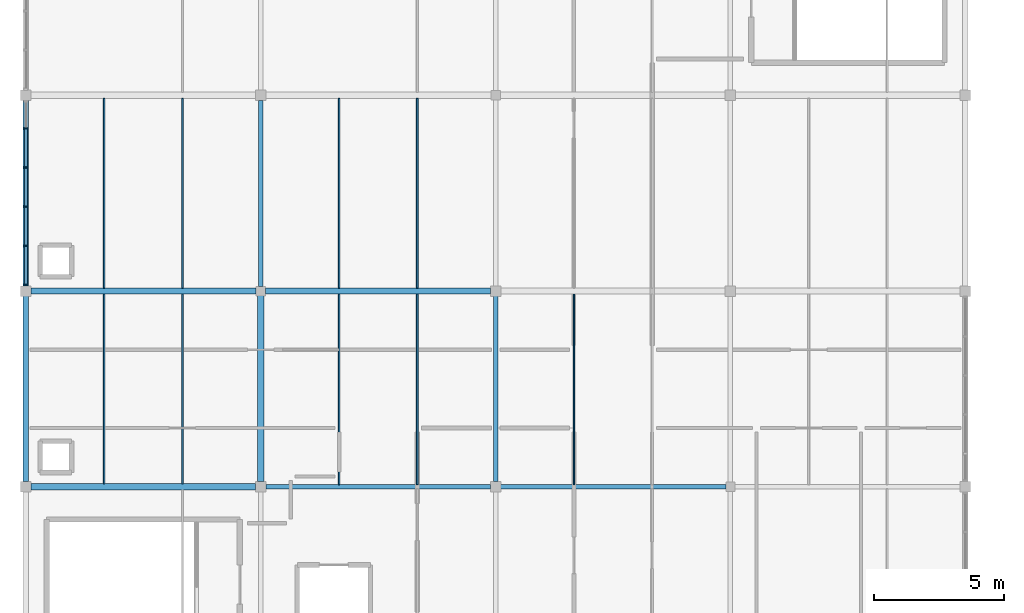
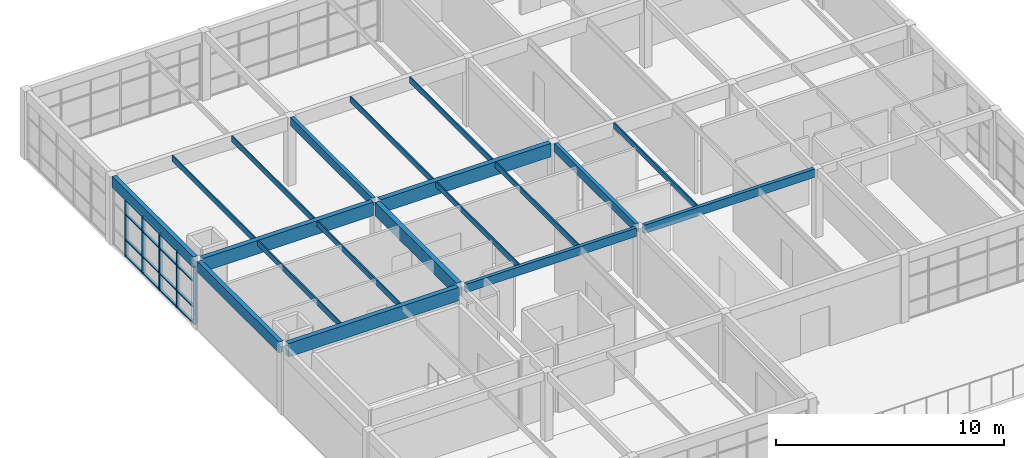
# One storey, part 15 of 45: 21 members, 19 beams, 1 element without a shape of its own.
"""IFC4 building model written with IfcOpenShell, lengths in metres."""

from ifc_helpers import new_model, si_unit, direction, frame, origin, origin_2d, place, context, subcontext, project, spatial, rectangle, extrude, material, layer, layer_set, material_profile, profile_set, type_object, element, aggregate, save


model = new_model("IFC4")

# Units and contexts
model_context = context("Model", 3, precision=1e-05, world=origin(), true_north=direction((0.0, 1.0)))
body_context = subcontext(model_context, "Body", "Model", "MODEL_VIEW")
ifc_project = project(units=[si_unit("LENGTHUNIT", "METRE"), si_unit("AREAUNIT", "SQUARE_METRE"), si_unit("VOLUMEUNIT", "CUBIC_METRE"), si_unit("PLANEANGLEUNIT", "RADIAN"), si_unit("MASSUNIT", "GRAM", prefix="KILO")], contexts=[model_context])

# Site, building, storey
site_placement = place(None, origin())
site = spatial("IfcSite", under=ifc_project, at=site_placement, CompositionType="ELEMENT")
building_placement = place(site_placement, origin())
building = spatial("IfcBuilding", under=site, at=building_placement, Name="Marnridge Secondary College", CompositionType="ELEMENT")
storey_placement = place(building_placement, frame((0.0, 0.0, 12.300048828125)))
storey = spatial("IfcBuildingStorey", under=building, at=storey_placement, Name="L03", CompositionType="ELEMENT", Elevation=12.300048828125)

# Beams
ifc_material_1 = material(Name="Glulam timber GL18", Category="wood")
ifc_material_profile_1 = material_profile(ifc_material_1, rectangle(XDim=0.175048828125, YDim=0.449951171875, at=origin_2d()), Name="GL18 175x450")
ifc_profile_set_1 = profile_set([ifc_material_profile_1], Name="Glulam timber GL18")
beam_type_1 = type_object("IfcBeamType", Name="BM-GL450-INT", PredefinedType="BEAM", material=ifc_profile_set_1)
beam_1_placement = place(storey_placement, frame((9.0, 105.174072265625, 3.425048828125), z_axis=(0.0, 1.0, 0.0), x_axis=(-1.0, 0.0, 0.0)))
element("IfcBeam", 1, at=beam_1_placement, inside=storey, type_object=beam_type_1, Name="Beam BRF-L03-1320", PredefinedType="BEAM", context=body_context, shape_type="SweptSolid", body=[
    extrude(rectangle(XDim=0.175048828125, YDim=0.449951171875, at=origin_2d()), origin(), (0.0, 0.0, 1.0), 7.1318359375),
])
beam_2_placement = place(storey_placement, frame((9.194091796875, 97.5, 3.425048828125), z_axis=(1.0, 0.0, 0.0), x_axis=(0.0, 1.0, 0.0)))
element("IfcBeam", 2, at=beam_2_placement, inside=storey, type_object=beam_type_1, Name="Beam BRF-L03-1325", PredefinedType="BEAM", context=body_context, shape_type="SweptSolid", body=[
    extrude(rectangle(XDim=0.175048828125, YDim=0.449951171875, at=origin_2d()), origin(), (0.0, 0.0, 1.0), 8.61181640625),
])
beam_3_placement = place(storey_placement, frame((18.0, 97.694091796875, 3.425048828125), z_axis=(0.0, 1.0, 0.0), x_axis=(-1.0, 0.0, 0.0)))
element("IfcBeam", 3, at=beam_3_placement, inside=storey, type_object=beam_type_1, Name="Beam BRF-L03-1328", PredefinedType="BEAM", context=body_context, shape_type="SweptSolid", body=[
    extrude(rectangle(XDim=0.175048828125, YDim=0.449951171875, at=origin_2d()), origin(), (0.0, 0.0, 1.0), 7.11181640625),
])
beam_4_placement = place(storey_placement, frame((18.194091796875, 97.5, 3.425048828125), z_axis=(1.0, 0.0, 0.0), x_axis=(0.0, 1.0, 0.0)))
element("IfcBeam", 4, at=beam_4_placement, inside=storey, type_object=beam_type_1, Name="Beam BRF-L03-1334", PredefinedType="BEAM", context=body_context, shape_type="SweptSolid", body=[
    extrude(rectangle(XDim=0.175048828125, YDim=0.449951171875, at=origin_2d()), origin(), (0.0, 0.0, 1.0), 8.6318359375),
])
ifc_material_2 = material(Name="Glulam timber GL18", Category="wood")
ifc_material_profile_2 = material_profile(ifc_material_2, rectangle(XDim=0.215087890625, YDim=0.5849609375, at=origin_2d()), Name="GL18 215x585")
ifc_profile_set_2 = profile_set([ifc_material_profile_2], Name="Glulam timber GL18")
beam_type_2 = type_object("IfcBeamType", Name="BM-GL585-EXT", PredefinedType="SPANDREL", material=ifc_profile_set_2)
for number, where, z_axis, x_axis, name in (
    (5, (0.0, 97.694091796875, 3.357421875), (0.0, 1.0, 0.0), (-1.0, 0.0, 0.0), "Beam BRF-L03-1316"),
    (6, (0.0, 105.194091796875, 3.357421875), (0.0, 1.0, 0.0), (-1.0, 0.0, 0.0), "Beam BRF-L03-1319"),
):
    element("IfcBeam", number, at=place(storey_placement, frame(where, z_axis=z_axis, x_axis=x_axis)), inside=storey, type_object=beam_type_2, Name=name, PredefinedType="SPANDREL", context=body_context, shape_type="SweptSolid", body=[
        extrude(rectangle(XDim=0.215087890625, YDim=0.5849609375, at=origin_2d()), origin(), (0.0, 0.0, 1.0), 7.11181640625),
    ])
ifc_material_3 = material(Name="Glulam timber GL18", Category="wood")
ifc_material_profile_3 = material_profile(ifc_material_3, rectangle(XDim=0.239990234375, YDim=0.719970703125, at=origin_2d()), Name="GL18 240x720")
ifc_profile_set_3 = profile_set([ifc_material_profile_3], Name="Glulam timber GL18")
beam_type_3 = type_object("IfcBeamType", Name="BM-GL720-INT", PredefinedType="BEAM", material=ifc_profile_set_3)
beam_5_placement = place(storey_placement, frame((0.194091796875, 97.5, 3.2900390625), z_axis=(1.0, 0.0, 0.0), x_axis=(0.0, 1.0, 0.0)))
element("IfcBeam", 7, at=beam_5_placement, inside=storey, type_object=beam_type_3, Name="Beam BRF-L03-1312", PredefinedType="BEAM", context=body_context, shape_type="SweptSolid", body=[
    extrude(rectangle(XDim=0.239990234375, YDim=0.719970703125, at=origin_2d()), origin(), (0.0, 0.0, 1.0), 8.61181640625),
])
beam_6_placement = place(storey_placement, frame((0.194091796875, 105.0, 3.2900390625), z_axis=(1.0, 0.0, 0.0), x_axis=(0.0, 1.0, 0.0)))
element("IfcBeam", 8, at=beam_6_placement, inside=storey, type_object=beam_type_3, Name="Beam BRF-L03-1315", PredefinedType="BEAM", context=body_context, shape_type="SweptSolid", body=[
    extrude(rectangle(XDim=0.239990234375, YDim=0.719970703125, at=origin_2d()), origin(), (0.0, 0.0, 1.0), 8.6318359375),
])
beam_7_placement = place(storey_placement, frame((9.0, 97.694091796875, 3.2900390625), z_axis=(0.0, 1.0, 0.0), x_axis=(-1.0, 0.0, 0.0)))
element("IfcBeam", 9, at=beam_7_placement, inside=storey, type_object=beam_type_3, Name="Beam BRF-L03-1317", PredefinedType="BEAM", context=body_context, shape_type="SweptSolid", body=[
    extrude(rectangle(XDim=0.239990234375, YDim=0.719970703125, at=origin_2d()), origin(), (0.0, 0.0, 1.0), 7.1318359375),
])
beam_8_placement = place(storey_placement, frame((9.174072265625, 105.0, 3.2900390625), z_axis=(1.0, 0.0, 0.0), x_axis=(0.0, 1.0, 0.0)))
element("IfcBeam", 10, at=beam_8_placement, inside=storey, type_object=beam_type_3, Name="Beam BRF-L03-1327", PredefinedType="BEAM", context=body_context, shape_type="SweptSolid", body=[
    extrude(rectangle(XDim=0.239990234375, YDim=0.719970703125, at=origin_2d()), origin(), (0.0, 0.0, 1.0), 8.6318359375),
])
ifc_material_4 = material(Name="Engineered timber LVL E13.2", Category="wood")
ifc_material_profile_4 = material_profile(ifc_material_4, rectangle(XDim=0.06298828125, YDim=0.300048828125, at=origin_2d()), Name="LVL 63x300")
ifc_profile_set_4 = profile_set([ifc_material_profile_4], Name="Engineered timber LVL E13.2")
beam_type_4 = type_object("IfcBeamType", Name="BM-LVL300-INT", PredefinedType="JOIST", material=ifc_profile_set_4)
for number, where, z_axis, x_axis, name in (
    (11, (3.0, 97.614013671875, 3.5), (0.0, 1.0, 0.0), (-1.0, 0.0, 0.0), "Beam BJ-L03-1357"),
    (12, (6.0, 97.614013671875, 3.5), (0.0, 1.0, 0.0), (-1.0, 0.0, 0.0), "Beam BJ-L03-1358"),
    (13, (3.0, 105.114013671875, 3.5), (0.0, 1.0, 0.0), (-1.0, 0.0, 0.0), "Beam BJ-L03-1359"),
    (14, (6.0, 105.114013671875, 3.5), (0.0, 1.0, 0.0), (-1.0, 0.0, 0.0), "Beam BJ-L03-1360"),
):
    element("IfcBeam", number, at=place(storey_placement, frame(where, z_axis=z_axis, x_axis=x_axis)), inside=storey, type_object=beam_type_4, Name=name, PredefinedType="JOIST", context=body_context, shape_type="SweptSolid", body=[
        extrude(rectangle(XDim=0.06298828125, YDim=0.300048828125, at=origin_2d()), origin(), (0.0, 0.0, 1.0), 7.27197265625),
    ])
for number, where, z_axis, x_axis, name in (
    (15, (12.0, 97.58154296875, 3.5), (0.0, 1.0, 0.0), (-1.0, 0.0, 0.0), "Beam BJ-L03-1363"),
    (16, (15.0, 97.58154296875, 3.5), (0.0, 1.0, 0.0), (-1.0, 0.0, 0.0), "Beam BJ-L03-1364"),
):
    element("IfcBeam", number, at=place(storey_placement, frame(where, z_axis=z_axis, x_axis=x_axis)), inside=storey, type_object=beam_type_4, Name=name, PredefinedType="JOIST", context=body_context, shape_type="SweptSolid", body=[
        extrude(rectangle(XDim=0.06298828125, YDim=0.300048828125, at=origin_2d()), origin(), (0.0, 0.0, 1.0), 7.304443359375),
    ])
for number, where, z_axis, x_axis, name in (
    (17, (12.0, 105.114013671875, 3.5), (0.0, 1.0, 0.0), (-1.0, 0.0, 0.0), "Beam BJ-L03-1365"),
    (18, (15.0, 105.114013671875, 3.5), (0.0, 1.0, 0.0), (-1.0, 0.0, 0.0), "Beam BJ-L03-1366"),
):
    element("IfcBeam", number, at=place(storey_placement, frame(where, z_axis=z_axis, x_axis=x_axis)), inside=storey, type_object=beam_type_4, Name=name, PredefinedType="JOIST", context=body_context, shape_type="SweptSolid", body=[
        extrude(rectangle(XDim=0.06298828125, YDim=0.300048828125, at=origin_2d()), origin(), (0.0, 0.0, 1.0), 7.27197265625),
    ])
beam_9_placement = place(storey_placement, frame((21.0, 97.58154296875, 3.5), z_axis=(0.0, 1.0, 0.0), x_axis=(-1.0, 0.0, 0.0)))
element("IfcBeam", 19, at=beam_9_placement, inside=storey, type_object=beam_type_4, Name="Beam BJ-L03-1369", PredefinedType="JOIST", context=body_context, shape_type="SweptSolid", body=[
    extrude(rectangle(XDim=0.06298828125, YDim=0.300048828125, at=origin_2d()), origin(), (0.0, 0.0, 1.0), 7.304443359375),
])

# Curtain wall, members
ifc_material_5 = material(Name="Thermally broken aluminium and low-E glazing", Category="aluminium")
ifc_layer = layer(ifc_material_5, 0.159912109375)
ifc_layer_set = layer_set([ifc_layer], Name="CW-MOD-1500")
curtain_wall_type = type_object("IfcCurtainWallType", Name="CW-MOD-1500", PredefinedType="NOTDEFINED", material=ifc_layer_set)
curtain_wall_placement = place(storey_placement, origin())
curtain_wall = element("IfcCurtainWall", 20, at=curtain_wall_placement, inside=storey, type_object=curtain_wall_type, Name="Unitised curtain wall CW-L03-125", PredefinedType="NOTDEFINED")
ifc_material_6 = material(Name="Anodised aluminium 6063-T6", Category="aluminium")
ifc_material_profile_5 = material_profile(ifc_material_6, rectangle(XDim=0.06005859375, YDim=0.159912109375, at=origin_2d()), Name="ALU 60x160")
ifc_profile_set_5 = profile_set([ifc_material_profile_5], Name="Anodised aluminium 6063-T6")
member_type_1 = type_object("IfcMemberType", Name="CWM-ALU160", PredefinedType="MULLION", material=ifc_profile_set_5)
member_1_placement = place(storey_placement, frame((0.0, 105.23388671875, 0.0), z_axis=(0.0, 0.0, 1.0), x_axis=(0.0, 1.0, 0.0)))
member_1 = element("IfcMember", 21, at=member_1_placement, type_object=member_type_1, Name="CW-L03-125 mullion 1", PredefinedType="MULLION", context=body_context, shape_type="SweptSolid", body=[
    extrude(rectangle(XDim=0.06005859375, YDim=0.159912109375, at=origin_2d()), origin(), (0.0, 0.0, 1.0), 3.056884765625),
])
member_2_placement = place(storey_placement, frame((0.0, 106.73388671875, 0.0), z_axis=(0.0, 0.0, 1.0), x_axis=(0.0, 1.0, 0.0)))
member_2 = element("IfcMember", 22, at=member_2_placement, type_object=member_type_1, Name="CW-L03-125 mullion 2", PredefinedType="MULLION", context=body_context, shape_type="SweptSolid", body=[
    extrude(rectangle(XDim=0.06005859375, YDim=0.159912109375, at=origin_2d()), origin(), (0.0, 0.0, 1.0), 3.056884765625),
])
member_3_placement = place(storey_placement, frame((0.0, 108.23388671875, 0.0), z_axis=(0.0, 0.0, 1.0), x_axis=(0.0, 1.0, 0.0)))
member_3 = element("IfcMember", 23, at=member_3_placement, type_object=member_type_1, Name="CW-L03-125 mullion 3", PredefinedType="MULLION", context=body_context, shape_type="SweptSolid", body=[
    extrude(rectangle(XDim=0.06005859375, YDim=0.159912109375, at=origin_2d()), origin(), (0.0, 0.0, 1.0), 3.056884765625),
])
member_4_placement = place(storey_placement, frame((0.0, 109.73388671875, 0.0), z_axis=(0.0, 0.0, 1.0), x_axis=(0.0, 1.0, 0.0)))
member_4 = element("IfcMember", 24, at=member_4_placement, type_object=member_type_1, Name="CW-L03-125 mullion 4", PredefinedType="MULLION", context=body_context, shape_type="SweptSolid", body=[
    extrude(rectangle(XDim=0.06005859375, YDim=0.159912109375, at=origin_2d()), origin(), (0.0, 0.0, 1.0), 3.056884765625),
])
member_5_placement = place(storey_placement, frame((0.0, 111.23388671875, 0.0), z_axis=(0.0, 0.0, 1.0), x_axis=(0.0, 1.0, 0.0)))
member_5 = element("IfcMember", 25, at=member_5_placement, type_object=member_type_1, Name="CW-L03-125 mullion 5", PredefinedType="MULLION", context=body_context, shape_type="SweptSolid", body=[
    extrude(rectangle(XDim=0.06005859375, YDim=0.159912109375, at=origin_2d()), origin(), (0.0, 0.0, 1.0), 3.056884765625),
])
ifc_material_7 = material(Name="Anodised aluminium 6063-T6", Category="aluminium")
ifc_material_profile_6 = material_profile(ifc_material_7, rectangle(XDim=0.06005859375, YDim=0.1201171875, at=origin_2d()), Name="ALU 60x120")
ifc_profile_set_6 = profile_set([ifc_material_profile_6], Name="Anodised aluminium 6063-T6")
member_type_2 = type_object("IfcMemberType", Name="CWT-ALU120", PredefinedType="USERDEFINED", material=ifc_profile_set_6)
member_6_placement = place(storey_placement, frame((0.0, 105.263916015625, 0.030029296875), z_axis=(0.0, 1.0, 0.0), x_axis=(0.0, 0.0, 1.0)))
member_6 = element("IfcMember", 26, at=member_6_placement, type_object=member_type_2, Name="CW-L03-125 transom 1.1", ObjectType="TRANSOM", PredefinedType="USERDEFINED", context=body_context, shape_type="SweptSolid", body=[
    extrude(rectangle(XDim=0.06005859375, YDim=0.1201171875, at=origin_2d()), origin(), (0.0, 0.0, 1.0), 1.440185546875),
])
member_7_placement = place(storey_placement, frame((0.0, 105.263916015625, 0.89990234375), z_axis=(0.0, 1.0, 0.0), x_axis=(0.0, 0.0, 1.0)))
member_7 = element("IfcMember", 27, at=member_7_placement, type_object=member_type_2, Name="CW-L03-125 transom 1.2", ObjectType="TRANSOM", PredefinedType="USERDEFINED", context=body_context, shape_type="SweptSolid", body=[
    extrude(rectangle(XDim=0.06005859375, YDim=0.1201171875, at=origin_2d()), origin(), (0.0, 0.0, 1.0), 1.440185546875),
])
member_8_placement = place(storey_placement, frame((0.0, 105.263916015625, 2.25), z_axis=(0.0, 1.0, 0.0), x_axis=(0.0, 0.0, 1.0)))
member_8 = element("IfcMember", 28, at=member_8_placement, type_object=member_type_2, Name="CW-L03-125 transom 1.3", ObjectType="TRANSOM", PredefinedType="USERDEFINED", context=body_context, shape_type="SweptSolid", body=[
    extrude(rectangle(XDim=0.06005859375, YDim=0.1201171875, at=origin_2d()), origin(), (0.0, 0.0, 1.0), 1.440185546875),
])
member_9_placement = place(storey_placement, frame((0.0, 105.263916015625, 3.02685546875), z_axis=(0.0, 1.0, 0.0), x_axis=(0.0, 0.0, 1.0)))
member_9 = element("IfcMember", 29, at=member_9_placement, type_object=member_type_2, Name="CW-L03-125 transom 1.4", ObjectType="TRANSOM", PredefinedType="USERDEFINED", context=body_context, shape_type="SweptSolid", body=[
    extrude(rectangle(XDim=0.06005859375, YDim=0.1201171875, at=origin_2d()), origin(), (0.0, 0.0, 1.0), 1.440185546875),
])
member_10_placement = place(storey_placement, frame((0.0, 106.763916015625, 0.030029296875), z_axis=(0.0, 1.0, 0.0), x_axis=(0.0, 0.0, 1.0)))
member_10 = element("IfcMember", 30, at=member_10_placement, type_object=member_type_2, Name="CW-L03-125 transom 2.1", ObjectType="TRANSOM", PredefinedType="USERDEFINED", context=body_context, shape_type="SweptSolid", body=[
    extrude(rectangle(XDim=0.06005859375, YDim=0.1201171875, at=origin_2d()), origin(), (0.0, 0.0, 1.0), 1.440185546875),
])
member_11_placement = place(storey_placement, frame((0.0, 106.763916015625, 0.89990234375), z_axis=(0.0, 1.0, 0.0), x_axis=(0.0, 0.0, 1.0)))
member_11 = element("IfcMember", 31, at=member_11_placement, type_object=member_type_2, Name="CW-L03-125 transom 2.2", ObjectType="TRANSOM", PredefinedType="USERDEFINED", context=body_context, shape_type="SweptSolid", body=[
    extrude(rectangle(XDim=0.06005859375, YDim=0.1201171875, at=origin_2d()), origin(), (0.0, 0.0, 1.0), 1.440185546875),
])
member_12_placement = place(storey_placement, frame((0.0, 106.763916015625, 2.25), z_axis=(0.0, 1.0, 0.0), x_axis=(0.0, 0.0, 1.0)))
member_12 = element("IfcMember", 32, at=member_12_placement, type_object=member_type_2, Name="CW-L03-125 transom 2.3", ObjectType="TRANSOM", PredefinedType="USERDEFINED", context=body_context, shape_type="SweptSolid", body=[
    extrude(rectangle(XDim=0.06005859375, YDim=0.1201171875, at=origin_2d()), origin(), (0.0, 0.0, 1.0), 1.440185546875),
])
member_13_placement = place(storey_placement, frame((0.0, 106.763916015625, 3.02685546875), z_axis=(0.0, 1.0, 0.0), x_axis=(0.0, 0.0, 1.0)))
member_13 = element("IfcMember", 33, at=member_13_placement, type_object=member_type_2, Name="CW-L03-125 transom 2.4", ObjectType="TRANSOM", PredefinedType="USERDEFINED", context=body_context, shape_type="SweptSolid", body=[
    extrude(rectangle(XDim=0.06005859375, YDim=0.1201171875, at=origin_2d()), origin(), (0.0, 0.0, 1.0), 1.440185546875),
])
member_14_placement = place(storey_placement, frame((0.0, 108.263916015625, 0.030029296875), z_axis=(0.0, 1.0, 0.0), x_axis=(0.0, 0.0, 1.0)))
member_14 = element("IfcMember", 34, at=member_14_placement, type_object=member_type_2, Name="CW-L03-125 transom 3.1", ObjectType="TRANSOM", PredefinedType="USERDEFINED", context=body_context, shape_type="SweptSolid", body=[
    extrude(rectangle(XDim=0.06005859375, YDim=0.1201171875, at=origin_2d()), origin(), (0.0, 0.0, 1.0), 1.440185546875),
])
member_15_placement = place(storey_placement, frame((0.0, 108.263916015625, 0.89990234375), z_axis=(0.0, 1.0, 0.0), x_axis=(0.0, 0.0, 1.0)))
member_15 = element("IfcMember", 35, at=member_15_placement, type_object=member_type_2, Name="CW-L03-125 transom 3.2", ObjectType="TRANSOM", PredefinedType="USERDEFINED", context=body_context, shape_type="SweptSolid", body=[
    extrude(rectangle(XDim=0.06005859375, YDim=0.1201171875, at=origin_2d()), origin(), (0.0, 0.0, 1.0), 1.440185546875),
])
member_16_placement = place(storey_placement, frame((0.0, 108.263916015625, 2.25), z_axis=(0.0, 1.0, 0.0), x_axis=(0.0, 0.0, 1.0)))
member_16 = element("IfcMember", 36, at=member_16_placement, type_object=member_type_2, Name="CW-L03-125 transom 3.3", ObjectType="TRANSOM", PredefinedType="USERDEFINED", context=body_context, shape_type="SweptSolid", body=[
    extrude(rectangle(XDim=0.06005859375, YDim=0.1201171875, at=origin_2d()), origin(), (0.0, 0.0, 1.0), 1.440185546875),
])
member_17_placement = place(storey_placement, frame((0.0, 108.263916015625, 3.02685546875), z_axis=(0.0, 1.0, 0.0), x_axis=(0.0, 0.0, 1.0)))
member_17 = element("IfcMember", 37, at=member_17_placement, type_object=member_type_2, Name="CW-L03-125 transom 3.4", ObjectType="TRANSOM", PredefinedType="USERDEFINED", context=body_context, shape_type="SweptSolid", body=[
    extrude(rectangle(XDim=0.06005859375, YDim=0.1201171875, at=origin_2d()), origin(), (0.0, 0.0, 1.0), 1.440185546875),
])
member_18_placement = place(storey_placement, frame((0.0, 109.763916015625, 0.030029296875), z_axis=(0.0, 1.0, 0.0), x_axis=(0.0, 0.0, 1.0)))
member_18 = element("IfcMember", 38, at=member_18_placement, type_object=member_type_2, Name="CW-L03-125 transom 4.1", ObjectType="TRANSOM", PredefinedType="USERDEFINED", context=body_context, shape_type="SweptSolid", body=[
    extrude(rectangle(XDim=0.06005859375, YDim=0.1201171875, at=origin_2d()), origin(), (0.0, 0.0, 1.0), 1.440185546875),
])
member_19_placement = place(storey_placement, frame((0.0, 109.763916015625, 0.89990234375), z_axis=(0.0, 1.0, 0.0), x_axis=(0.0, 0.0, 1.0)))
member_19 = element("IfcMember", 39, at=member_19_placement, type_object=member_type_2, Name="CW-L03-125 transom 4.2", ObjectType="TRANSOM", PredefinedType="USERDEFINED", context=body_context, shape_type="SweptSolid", body=[
    extrude(rectangle(XDim=0.06005859375, YDim=0.1201171875, at=origin_2d()), origin(), (0.0, 0.0, 1.0), 1.440185546875),
])
member_20_placement = place(storey_placement, frame((0.0, 109.763916015625, 2.25), z_axis=(0.0, 1.0, 0.0), x_axis=(0.0, 0.0, 1.0)))
member_20 = element("IfcMember", 40, at=member_20_placement, type_object=member_type_2, Name="CW-L03-125 transom 4.3", ObjectType="TRANSOM", PredefinedType="USERDEFINED", context=body_context, shape_type="SweptSolid", body=[
    extrude(rectangle(XDim=0.06005859375, YDim=0.1201171875, at=origin_2d()), origin(), (0.0, 0.0, 1.0), 1.440185546875),
])
member_21_placement = place(storey_placement, frame((0.0, 109.763916015625, 3.02685546875), z_axis=(0.0, 1.0, 0.0), x_axis=(0.0, 0.0, 1.0)))
member_21 = element("IfcMember", 41, at=member_21_placement, type_object=member_type_2, Name="CW-L03-125 transom 4.4", ObjectType="TRANSOM", PredefinedType="USERDEFINED", context=body_context, shape_type="SweptSolid", body=[
    extrude(rectangle(XDim=0.06005859375, YDim=0.1201171875, at=origin_2d()), origin(), (0.0, 0.0, 1.0), 1.440185546875),
])
aggregate(curtain_wall, [member_1, member_2, member_3, member_4, member_5, member_6, member_7, member_8, member_9, member_10, member_11, member_12, member_13, member_14, member_15, member_16, member_17, member_18, member_19, member_20, member_21])

save(model, "model.ifc")
